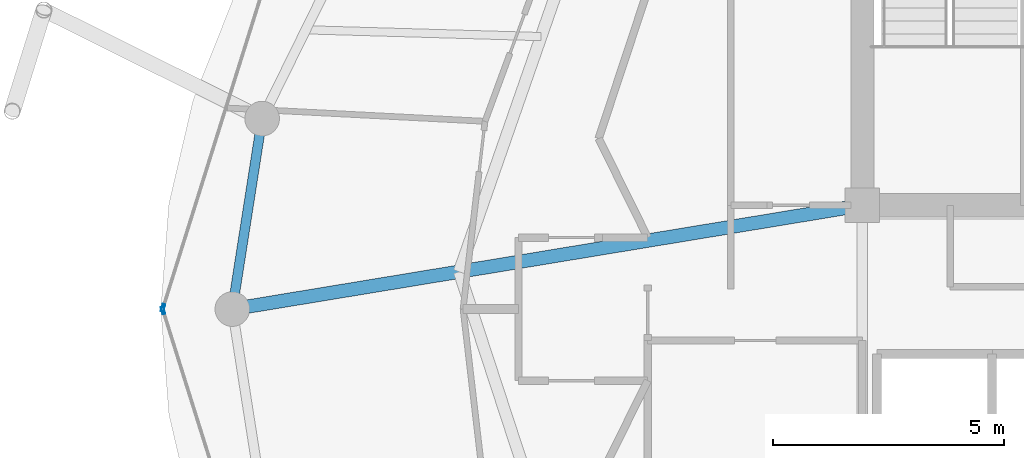
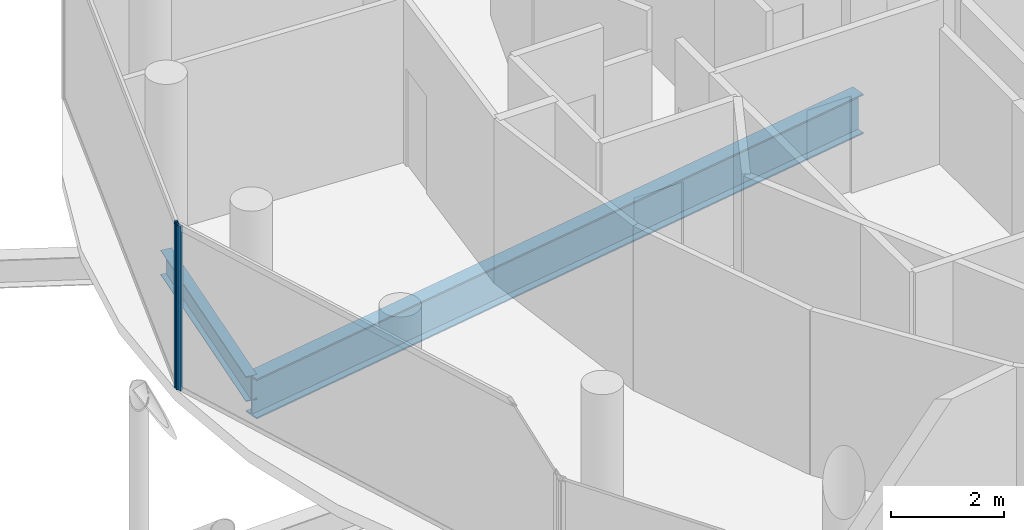
# One storey, part 6 of 24: 2 beams, 2 members, 2 elements without a shape of their own.
"""IFC4 building model written with IfcOpenShell, lengths in metres."""

from ifc_helpers import new_model, si_unit, direction, frame, origin, origin_2d, place, context, subcontext, project, spatial, hollow_rectangle, i_section, extrude, material, layer, layer_set, material_profile, profile_set, type_object, element, aggregate, save


model = new_model("IFC4")

# Units and contexts
model_context = context("Model", 3, precision=1e-05, world=origin(), true_north=direction((0.0, 1.0)))
body_context = subcontext(model_context, "Body", "Model", "MODEL_VIEW")
ifc_project = project(units=[si_unit("LENGTHUNIT", "METRE"), si_unit("AREAUNIT", "SQUARE_METRE"), si_unit("VOLUMEUNIT", "CUBIC_METRE"), si_unit("PLANEANGLEUNIT", "RADIAN"), si_unit("MASSUNIT", "GRAM", prefix="KILO")], contexts=[model_context])

# Site, building, storey
site_placement = place(None, origin())
site = spatial("IfcSite", under=ifc_project, at=site_placement, CompositionType="ELEMENT")
building_placement = place(site_placement, origin())
building = spatial("IfcBuilding", under=site, at=building_placement, Name="Nuhasar Tower", CompositionType="ELEMENT")
storey_placement = place(building_placement, frame((0.0, 0.0, 278.39990234375)))
storey = spatial("IfcBuildingStorey", under=building, at=storey_placement, Name="L69", CompositionType="ELEMENT", Elevation=278.39990234375)

# Beams
ifc_material_1 = material(Name="Steel S355", Category="steel")
ifc_material_profile_1 = material_profile(ifc_material_1, i_section(OverallWidth=0.2919921875, OverallDepth=0.85888671875, WebThickness=0.01708984375, FlangeThickness=0.031005859375, at=origin_2d()), Name="W33X169")
ifc_profile_set_1 = profile_set([ifc_material_profile_1], Name="Steel S355")
beam_type_1 = type_object("IfcBeamType", Name="BM-POD-W33X169", PredefinedType="BEAM", material=ifc_profile_set_1)
beam_1_placement = place(storey_placement, frame((33.699951171875, 29.050048828125, -0.68994140625), z_axis=(-0.986685215874, -0.162641583786, 0.0), x_axis=(0.162641583786, -0.986685215874, 0.0)))
element("IfcBeam", 1, at=beam_1_placement, inside=storey, type_object=beam_type_1, Name="L69 Radial Floor Girder 08", PredefinedType="BEAM", context=body_context, shape_type="SweptSolid", body=[
    extrude(i_section(OverallWidth=0.2919921875, OverallDepth=0.85888671875, WebThickness=0.01708984375, FlangeThickness=0.031005859375, at=origin_2d()), origin(), (0.0, 0.0, 1.0), 13.833984375),
])
ifc_material_profile_2 = material_profile(ifc_material_1, i_section(OverallWidth=0.2099609375, OverallDepth=0.537109375, WebThickness=0.010986328125, FlangeThickness=0.017333984375, at=origin_2d()), Name="W21X68")
ifc_profile_set_2 = profile_set([ifc_material_profile_2], Name="Steel S355")
beam_type_2 = type_object("IfcBeamType", Name="BM-RING-W21X68", PredefinedType="SPANDREL", material=ifc_profile_set_2)
beam_2_placement = place(storey_placement, frame((20.696044921875, 30.927978515625, -0.52880859375), z_axis=(-0.154612165232, -0.987975241776, 0.0), x_axis=(0.987975241776, -0.154612165232, 0.0)))
element("IfcBeam", 2, at=beam_2_placement, inside=storey, type_object=beam_type_2, Name="L69 Perimeter Ring Spandrel 12", PredefinedType="SPANDREL", context=body_context, shape_type="SweptSolid", body=[
    extrude(i_section(OverallWidth=0.2099609375, OverallDepth=0.537109375, WebThickness=0.010986328125, FlangeThickness=0.017333984375, at=origin_2d()), origin(), (0.0, 0.0, 1.0), 4.17822265625),
])

# Curtain wall, member
ifc_material_2 = material(Name="Aluminium 6063-T6", Category="aluminium")
ifc_layer = layer(ifc_material_2, 0.18994140625)
ifc_layer_set = layer_set([ifc_layer], Name="Aluminium 6063-T6")
curtain_wall_type = type_object("IfcCurtainWallType", Name="CW-Z4-PEN", PredefinedType="NOTDEFINED", material=ifc_layer_set)
curtain_wall_1_placement = place(storey_placement, origin())
curtain_wall_1 = element("IfcCurtainWall", 3, at=curtain_wall_1_placement, inside=storey, type_object=curtain_wall_type, Name="L69 Unitised Curtain Wall 06", PredefinedType="NOTDEFINED")
ifc_material_profile_3 = material_profile(ifc_material_2, hollow_rectangle(XDim=0.06005859375, YDim=0.1650390625, WallThickness=0.0048828125, at=origin_2d()), Name="CWM-5")
ifc_profile_set_3 = profile_set([ifc_material_profile_3], Name="Aluminium 6063-T6")
member_type = type_object("IfcMemberType", Name="CW-MUL-S5", PredefinedType="MULLION", material=ifc_profile_set_3)
member_1_placement = place(storey_placement, frame((18.549072265625, 26.82861328125, 0.0), z_axis=(0.0, 0.0, 1.0), x_axis=(0.954078526601, -0.299556614146, 0.0)))
member_1 = element("IfcMember", 4, at=member_1_placement, type_object=member_type, Name="CW-Z4 mullion 2", PredefinedType="MULLION", context=body_context, shape_type="SweptSolid", body=[
    extrude(hollow_rectangle(XDim=0.06005859375, YDim=0.1650390625, WallThickness=0.0048828125, at=origin_2d()), origin(), (0.0, 0.0, 1.0), 3.5400390625),
])
aggregate(curtain_wall_1, [member_1])

curtain_wall_2_placement = place(storey_placement, origin())
curtain_wall_2 = element("IfcCurtainWall", 5, at=curtain_wall_2_placement, inside=storey, type_object=curtain_wall_type, Name="L69 Unitised Curtain Wall 07", PredefinedType="NOTDEFINED")
member_2_placement = place(storey_placement, frame((18.549072265625, 26.771484375, 0.0), z_axis=(0.0, 0.0, 1.0), x_axis=(0.954078526601, 0.299556614146, 0.0)))
member_2 = element("IfcMember", 6, at=member_2_placement, type_object=member_type, Name="CW-Z4 mullion 1", PredefinedType="MULLION", context=body_context, shape_type="SweptSolid", body=[
    extrude(hollow_rectangle(XDim=0.06005859375, YDim=0.1650390625, WallThickness=0.0048828125, at=origin_2d()), origin(), (0.0, 0.0, 1.0), 3.5400390625),
])
aggregate(curtain_wall_2, [member_2])

save(model, "model.ifc")
